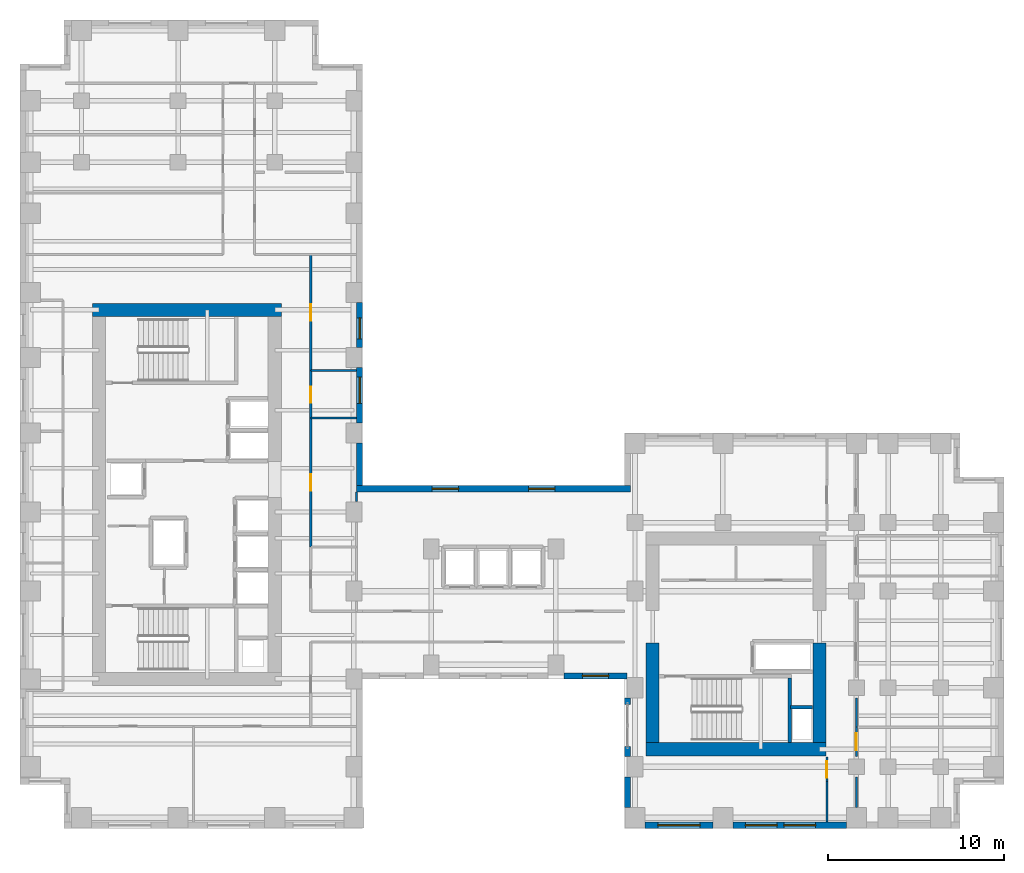
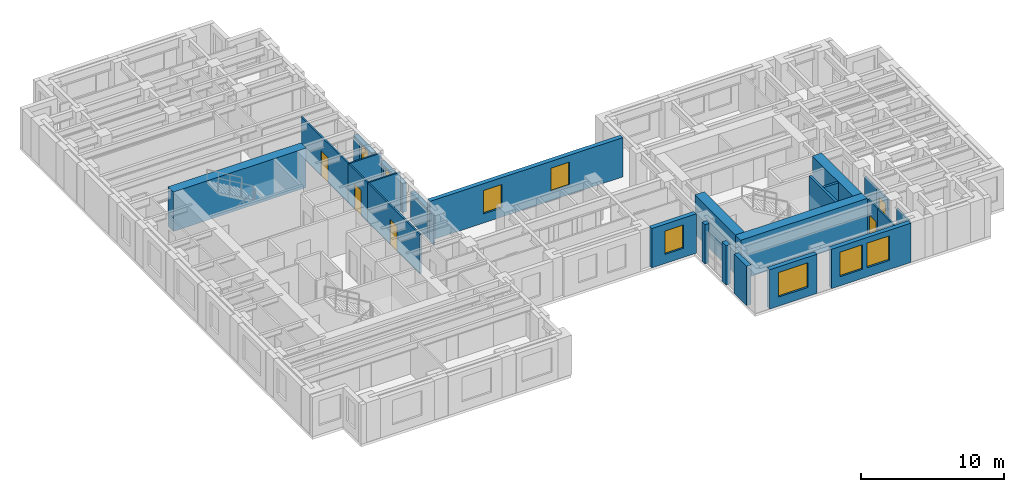
# One storey, part 7 of 12: 27 walls, 8 windows, 5 doors, 13 openings.
"""IFC4 building model written with IfcOpenShell, lengths in metres."""

from ifc_helpers import new_model, si_unit, direction, frame, frame_2d, origin, place, context, subcontext, project, spatial, rectangle, extrude, source, transform, mapped, material, layer, layer_set, type_object, element, fill, save


model = new_model("IFC4")

# Units and contexts
model_context = context("Model", 3, precision=1e-05, world=origin(), true_north=direction((0.0, 1.0)))
body_context = subcontext(model_context, "Body", "Model", "MODEL_VIEW")
ifc_project = project(units=[si_unit("LENGTHUNIT", "METRE"), si_unit("AREAUNIT", "SQUARE_METRE"), si_unit("VOLUMEUNIT", "CUBIC_METRE"), si_unit("PLANEANGLEUNIT", "RADIAN"), si_unit("MASSUNIT", "GRAM", prefix="KILO")], contexts=[model_context])

# Site, building, storey
site_placement = place(None, origin())
site = spatial("IfcSite", under=ifc_project, at=site_placement, CompositionType="ELEMENT")
building_placement = place(site_placement, origin())
building = spatial("IfcBuilding", under=site, at=building_placement, Name="Kharzan Plaza Tower", CompositionType="ELEMENT")
storey_placement = place(building_placement, frame((0.0, 0.0, 117.0)))
storey = spatial("IfcBuildingStorey", under=building, at=storey_placement, Name="L31", CompositionType="ELEMENT", Elevation=117.0)

# Wall, opening, window
ifc_material_1 = material(Name="Concrete C40/50", Category="concrete")
ifc_layer_1 = layer(ifc_material_1, 0.35009765625)
ifc_layer_set_1 = layer_set([ifc_layer_1], Name="Concrete C40/50")
wall_type_1 = type_object("IfcWallType", Name="WL-EXT-MAS-Z2", PredefinedType="SOLIDWALL", material=ifc_layer_set_1)
wall_1_placement = place(storey_placement, frame((19.324951171875, 23.072998046875, 0.0), z_axis=(0.0, 0.0, 1.0), x_axis=(0.0, 1.0, 0.0)))
wall_1 = element("IfcWall", 1, at=wall_1_placement, inside=storey, type_object=wall_type_1, Name="L31 Masonry-Frame Exterior Wall 02", PredefinedType="SOLIDWALL", context=body_context, shape_type="SweptSolid", body=[
    extrude(rectangle(XDim=3.154052734375, YDim=0.35009765625, at=frame_2d((1.5771484375, 0.0))), origin(), (0.0, 0.0, 1.0), 2.51904296875),
])
opening_1_placement = place(wall_1_placement, frame((1.10546875, 0.0, 0.780029296875)))
opening_1 = element("IfcOpeningElement", 2, at=opening_1_placement, cuts=wall_1, Name="Opening W5", PredefinedType="OPENING", context=body_context, shape_type="SweptSolid", body=[
    extrude(rectangle(XDim=1.5, YDim=1.55908203125, at=frame_2d((0.75, 0.779541015625))), frame((0.0, 0.18505859375, 0.0), z_axis=(0.0, -1.0, 0.0), x_axis=(1.0, 0.0, 0.0)), (0.0, 0.0, 1.0), 0.3701171875),
])
ifc_material_2 = material(Name="Low-E Double Glazing", Category="glass")
window_type_1 = type_object("IfcWindowType", Name="WN-SLT-1500x2000", PartitioningType="SINGLE_PANEL", PredefinedType="WINDOW", material=ifc_material_2)
shared_shape_1 = source(origin(), body_context, "Body", "SweptSolid", [
    extrude(rectangle(XDim=1.5, YDim=1.55908203125, at=frame_2d((0.75, 0.779541015625))), frame((0.0, 0.030029296875, 0.0), z_axis=(0.0, -1.0, 0.0), x_axis=(1.0, 0.0, 0.0)), (0.0, 0.0, 1.0), 0.06005859375),
])
window_1_placement = place(opening_1_placement, origin())
window_1 = element("IfcWindow", 3, at=window_1_placement, inside=storey, type_object=window_type_1, Name="L31 Recessed Solar-Control Window 02-1", OverallHeight=1.55908203125, OverallWidth=1.5, PartitioningType="SINGLE_PANEL", PredefinedType="WINDOW", context=body_context, shape_type="MappedRepresentation", body=[
    mapped(shared_shape_1, transform((0.0, 0.0, 0.0), x_axis=(1.0, 0.0, 0.0), y_axis=(0.0, 1.0, 0.0), z_axis=(0.0, 0.0, 1.0))),
])
fill(opening_1, window_1)

wall_2_placement = place(storey_placement, frame((19.324951171875, 27.373046875, 0.0), z_axis=(0.0, 0.0, 1.0), x_axis=(0.0, 1.0, 0.0)))
wall_2 = element("IfcWall", 4, at=wall_2_placement, inside=storey, type_object=wall_type_1, Name="L31 Masonry-Frame Exterior Wall 03", PredefinedType="SOLIDWALL", context=body_context, shape_type="SweptSolid", body=[
    extrude(rectangle(XDim=2.553955078125, YDim=0.35009765625, at=frame_2d((1.27685546875, 0.0))), origin(), (0.0, 0.0, 1.0), 2.51904296875),
])
opening_2_placement = place(wall_2_placement, frame((0.47998046875, 0.0, 0.780029296875)))
opening_2 = element("IfcOpeningElement", 5, at=opening_2_placement, cuts=wall_2, Name="Opening W3", PredefinedType="OPENING", context=body_context, shape_type="SweptSolid", body=[
    extrude(rectangle(XDim=1.199951171875, YDim=1.55908203125, at=frame_2d((0.60009765625, 0.779541015625))), frame((0.0, 0.18505859375, 0.0), z_axis=(0.0, -1.0, 0.0), x_axis=(1.0, 0.0, 0.0)), (0.0, 0.0, 1.0), 0.3701171875),
])
window_type_2 = type_object("IfcWindowType", Name="WN-REC-1200x2100", PartitioningType="SINGLE_PANEL", PredefinedType="WINDOW", material=ifc_material_2)
shared_shape_2 = source(origin(), body_context, "Body", "SweptSolid", [
    extrude(rectangle(XDim=1.199951171875, YDim=1.55908203125, at=frame_2d((0.60009765625, 0.779541015625))), frame((0.0, 0.030029296875, 0.0), z_axis=(0.0, -1.0, 0.0), x_axis=(1.0, 0.0, 0.0)), (0.0, 0.0, 1.0), 0.06005859375),
])
window_2_placement = place(opening_2_placement, origin())
window_2 = element("IfcWindow", 6, at=window_2_placement, inside=storey, type_object=window_type_2, Name="L31 Recessed Solar-Control Window 03-1", OverallHeight=1.55908203125, OverallWidth=1.199951171875, PartitioningType="SINGLE_PANEL", PredefinedType="WINDOW", context=body_context, shape_type="MappedRepresentation", body=[
    mapped(shared_shape_2, transform((0.0, 0.0, 0.0), x_axis=(1.0, 0.0, 0.0), y_axis=(0.0, 1.0, 0.0), z_axis=(0.0, 0.0, 1.0))),
])
fill(opening_2, window_2)

wall_3_placement = place(storey_placement, frame((30.947998046875, 8.675048828125, 0.0), z_axis=(0.0, 0.0, 1.0), x_axis=(1.0, 0.0, 0.0)))
wall_3 = element("IfcWall", 7, at=wall_3_placement, inside=storey, type_object=wall_type_1, Name="L31 Masonry-Frame Exterior Wall 36", PredefinedType="SOLIDWALL", context=body_context, shape_type="SweptSolid", body=[
    extrude(rectangle(XDim=3.60400390625, YDim=0.35009765625, at=frame_2d((1.802001953125, 0.0))), origin(), (0.0, 0.0, 1.0), 3.364990234375),
])
opening_3_placement = place(wall_3_placement, frame((1.052001953125, 0.0, 0.780029296875)))
opening_3 = element("IfcOpeningElement", 8, at=opening_3_placement, cuts=wall_3, Name="Opening W5", PredefinedType="OPENING", context=body_context, shape_type="SweptSolid", body=[
    extrude(rectangle(XDim=1.5, YDim=2.0, at=frame_2d((0.75, 1.0))), frame((0.0, 0.18505859375, 0.0), z_axis=(0.0, -1.0, 0.0), x_axis=(1.0, 0.0, 0.0)), (0.0, 0.0, 1.0), 0.3701171875),
])
shared_shape_3 = source(origin(), body_context, "Body", "SweptSolid", [
    extrude(rectangle(XDim=1.5, YDim=2.0, at=frame_2d((0.75, 1.0))), frame((0.0, 0.030029296875, 0.0), z_axis=(0.0, -1.0, 0.0), x_axis=(1.0, 0.0, 0.0)), (0.0, 0.0, 1.0), 0.06005859375),
])
window_3_placement = place(opening_3_placement, origin())
window_3 = element("IfcWindow", 9, at=window_3_placement, inside=storey, type_object=window_type_1, Name="L31 Recessed Solar-Control Window 36-1", OverallHeight=2.0, OverallWidth=1.5, PartitioningType="SINGLE_PANEL", PredefinedType="WINDOW", context=body_context, shape_type="MappedRepresentation", body=[
    mapped(shared_shape_3, transform((0.0, 0.0, 0.0), x_axis=(1.0, 0.0, 0.0), y_axis=(0.0, 1.0, 0.0), z_axis=(0.0, 0.0, 1.0))),
])
fill(opening_3, window_3)

wall_4_placement = place(storey_placement, frame((35.572998046875, 0.175048828125, 0.0), z_axis=(0.0, 0.0, 1.0), x_axis=(1.0, 0.0, 0.0)))
wall_4 = element("IfcWall", 10, at=wall_4_placement, inside=storey, type_object=wall_type_1, Name="L31 Masonry-Frame Exterior Wall 40", PredefinedType="SOLIDWALL", context=body_context, shape_type="SweptSolid", body=[
    extrude(rectangle(XDim=3.85400390625, YDim=0.35009765625, at=frame_2d((1.927001953125, 0.0))), origin(), (0.0, 0.0, 1.0), 3.364990234375),
])
opening_4_placement = place(wall_4_placement, frame((0.72705078125, 0.0, 0.780029296875)))
opening_4 = element("IfcOpeningElement", 11, at=opening_4_placement, cuts=wall_4, Name="Opening W2", PredefinedType="OPENING", context=body_context, shape_type="SweptSolid", body=[
    extrude(rectangle(XDim=2.39990234375, YDim=2.10009765625, at=frame_2d((1.199951171875, 1.050048828125))), frame((0.0, 0.18505859375, 0.0), z_axis=(0.0, -1.0, 0.0), x_axis=(1.0, 0.0, 0.0)), (0.0, 0.0, 1.0), 0.3701171875),
])
window_type_3 = type_object("IfcWindowType", Name="WN-REC-2400x2100", PartitioningType="SINGLE_PANEL", PredefinedType="WINDOW", material=ifc_material_2)
shared_shape_4 = source(origin(), body_context, "Body", "SweptSolid", [
    extrude(rectangle(XDim=2.39990234375, YDim=2.10009765625, at=frame_2d((1.199951171875, 1.050048828125))), frame((0.0, 0.030029296875, 0.0), z_axis=(0.0, -1.0, 0.0), x_axis=(1.0, 0.0, 0.0)), (0.0, 0.0, 1.0), 0.06005859375),
])
window_4_placement = place(opening_4_placement, origin())
window_4 = element("IfcWindow", 12, at=window_4_placement, inside=storey, type_object=window_type_3, Name="L31 Wide Recessed Solar-Control Window 40-1", OverallHeight=2.10009765625, OverallWidth=2.39990234375, PartitioningType="SINGLE_PANEL", PredefinedType="WINDOW", context=body_context, shape_type="MappedRepresentation", body=[
    mapped(shared_shape_4, transform((0.0, 0.0, 0.0), x_axis=(1.0, 0.0, 0.0), y_axis=(0.0, 1.0, 0.0), z_axis=(0.0, 0.0, 1.0))),
])
fill(opening_4, window_4)

# Wall, openings, windows
wall_5_placement = place(storey_placement, frame((40.572998046875, 0.175048828125, 0.0), z_axis=(0.0, 0.0, 1.0), x_axis=(1.0, 0.0, 0.0)))
wall_5 = element("IfcWall", 13, at=wall_5_placement, inside=storey, type_object=wall_type_1, Name="L31 Masonry-Frame Exterior Wall 41", PredefinedType="SOLIDWALL", context=body_context, shape_type="SweptSolid", body=[
    extrude(rectangle(XDim=6.4541015625, YDim=0.35009765625, at=frame_2d((3.22705078125, 0.0))), origin(), (0.0, 0.0, 1.0), 3.364990234375),
])
opening_5_placement = place(wall_5_placement, frame((0.71240234375, 0.0, 0.780029296875)))
opening_5 = element("IfcOpeningElement", 14, at=opening_5_placement, cuts=wall_5, Name="Opening W1", PredefinedType="OPENING", context=body_context, shape_type="SweptSolid", body=[
    extrude(rectangle(XDim=1.800048828125, YDim=2.10009765625, at=frame_2d((0.89990234375, 1.050048828125))), frame((0.0, 0.18505859375, 0.0), z_axis=(0.0, -1.0, 0.0), x_axis=(1.0, 0.0, 0.0)), (0.0, 0.0, 1.0), 0.3701171875),
])
opening_6_placement = place(wall_5_placement, frame((2.90478515625, 0.0, 0.780029296875)))
opening_6 = element("IfcOpeningElement", 15, at=opening_6_placement, cuts=wall_5, Name="Opening W1", PredefinedType="OPENING", context=body_context, shape_type="SweptSolid", body=[
    extrude(rectangle(XDim=1.800048828125, YDim=2.10009765625, at=frame_2d((0.89990234375, 1.050048828125))), frame((0.0, 0.18505859375, 0.0), z_axis=(0.0, -1.0, 0.0), x_axis=(1.0, 0.0, 0.0)), (0.0, 0.0, 1.0), 0.3701171875),
])
window_type_4 = type_object("IfcWindowType", Name="WN-REC-1800x2100", PartitioningType="SINGLE_PANEL", PredefinedType="WINDOW", material=ifc_material_2)
shared_shape_5 = source(origin(), body_context, "Body", "SweptSolid", [
    extrude(rectangle(XDim=1.800048828125, YDim=2.10009765625, at=frame_2d((0.89990234375, 1.050048828125))), frame((0.0, 0.030029296875, 0.0), z_axis=(0.0, -1.0, 0.0), x_axis=(1.0, 0.0, 0.0)), (0.0, 0.0, 1.0), 0.06005859375),
])
window_5_placement = place(opening_5_placement, origin())
window_5 = element("IfcWindow", 16, at=window_5_placement, inside=storey, type_object=window_type_4, Name="L31 Recessed Solar-Control Window 41-1", OverallHeight=2.10009765625, OverallWidth=1.800048828125, PartitioningType="SINGLE_PANEL", PredefinedType="WINDOW", context=body_context, shape_type="MappedRepresentation", body=[
    mapped(shared_shape_5, transform((0.0, 0.0, 0.0), x_axis=(1.0, 0.0, 0.0), y_axis=(0.0, 1.0, 0.0), z_axis=(0.0, 0.0, 1.0))),
])
fill(opening_5, window_5)
window_6_placement = place(opening_6_placement, origin())
window_6 = element("IfcWindow", 17, at=window_6_placement, inside=storey, type_object=window_type_4, Name="L31 Recessed Solar-Control Window 41-2", OverallHeight=2.10009765625, OverallWidth=1.800048828125, PartitioningType="SINGLE_PANEL", PredefinedType="WINDOW", context=body_context, shape_type="MappedRepresentation", body=[
    mapped(shared_shape_5, transform((0.0, 0.0, 0.0), x_axis=(1.0, 0.0, 0.0), y_axis=(0.0, 1.0, 0.0), z_axis=(0.0, 0.0, 1.0))),
])
fill(opening_6, window_6)

wall_6_placement = place(storey_placement, frame((34.75, 19.324951171875, 0.0), z_axis=(0.0, 0.0, 1.0), x_axis=(-1.0, 0.0, 0.0)))
wall_6 = element("IfcWall", 18, at=wall_6_placement, inside=storey, type_object=wall_type_1, Name="L31 Masonry-Frame Exterior Wall 59", PredefinedType="SOLIDWALL", context=body_context, shape_type="SweptSolid", body=[
    extrude(rectangle(XDim=15.60009765625, YDim=0.35009765625, at=frame_2d((7.800048828125, 0.0))), origin(), (0.0, 0.0, 1.0), 3.364990234375),
])
opening_7_placement = place(wall_6_placement, frame((4.306640625, 0.0, 0.780029296875)))
opening_7 = element("IfcOpeningElement", 19, at=opening_7_placement, cuts=wall_6, Name="Opening W5", PredefinedType="OPENING", context=body_context, shape_type="SweptSolid", body=[
    extrude(rectangle(XDim=1.5, YDim=2.0, at=frame_2d((0.75, 1.0))), frame((0.0, 0.18505859375, 0.0), z_axis=(0.0, -1.0, 0.0), x_axis=(1.0, 0.0, 0.0)), (0.0, 0.0, 1.0), 0.3701171875),
])
opening_8_placement = place(wall_6_placement, frame((9.793212890625, 0.0, 0.780029296875)))
opening_8 = element("IfcOpeningElement", 20, at=opening_8_placement, cuts=wall_6, Name="Opening W5", PredefinedType="OPENING", context=body_context, shape_type="SweptSolid", body=[
    extrude(rectangle(XDim=1.5, YDim=2.0, at=frame_2d((0.75, 1.0))), frame((0.0, 0.18505859375, 0.0), z_axis=(0.0, -1.0, 0.0), x_axis=(1.0, 0.0, 0.0)), (0.0, 0.0, 1.0), 0.3701171875),
])
window_7_placement = place(opening_7_placement, origin())
window_7 = element("IfcWindow", 21, at=window_7_placement, inside=storey, type_object=window_type_1, Name="L31 Recessed Solar-Control Window 59-1", OverallHeight=2.0, OverallWidth=1.5, PartitioningType="SINGLE_PANEL", PredefinedType="WINDOW", context=body_context, shape_type="MappedRepresentation", body=[
    mapped(shared_shape_3, transform((0.0, 0.0, 0.0), x_axis=(1.0, 0.0, 0.0), y_axis=(0.0, 1.0, 0.0), z_axis=(0.0, 0.0, 1.0))),
])
fill(opening_7, window_7)
window_8_placement = place(opening_8_placement, origin())
window_8 = element("IfcWindow", 22, at=window_8_placement, inside=storey, type_object=window_type_1, Name="L31 Recessed Solar-Control Window 59-2", OverallHeight=2.0, OverallWidth=1.5, PartitioningType="SINGLE_PANEL", PredefinedType="WINDOW", context=body_context, shape_type="MappedRepresentation", body=[
    mapped(shared_shape_3, transform((0.0, 0.0, 0.0), x_axis=(1.0, 0.0, 0.0), y_axis=(0.0, 1.0, 0.0), z_axis=(0.0, 0.0, 1.0))),
])
fill(opening_8, window_8)

# Wall, opening, door
ifc_material_3 = material(Name="Fire-Rated Gypsum Board Partition", Category="gypsum")
ifc_layer_2 = layer(ifc_material_3, 0.125)
ifc_layer_set_2 = layer_set([ifc_layer_2], Name="Fire-Rated Gypsum Board Partition")
wall_type_2 = type_object("IfcWallType", Name="WL-INT-PART-125", PredefinedType="PARTITIONING", material=ifc_layer_set_2)
wall_7_placement = place(storey_placement, frame((16.550048828125, 16.0, 0.0), z_axis=(0.0, 0.0, 1.0), x_axis=(0.0, 1.0, 0.0)))
wall_7 = element("IfcWall", 23, at=wall_7_placement, inside=storey, type_object=wall_type_2, Name="L31 Interior Partition SH-AEWN2", PredefinedType="PARTITIONING", context=body_context, shape_type="SweptSolid", body=[
    extrude(rectangle(XDim=7.35009765625, YDim=0.125, at=frame_2d((3.675048828125, 0.0))), origin(), (0.0, 0.0, 1.0), 3.364990234375),
])
opening_9_placement = place(wall_7_placement, frame((3.199951171875, 0.0, 0.0)))
opening_9 = element("IfcOpeningElement", 24, at=opening_9_placement, cuts=wall_7, Name="Opening OD1", PredefinedType="OPENING", context=body_context, shape_type="SweptSolid", body=[
    extrude(rectangle(XDim=0.949951171875, YDim=2.14990234375, at=frame_2d((0.47509765625, 1.074951171875))), frame((0.0, 0.072509765625, 0.0), z_axis=(0.0, -1.0, 0.0), x_axis=(1.0, 0.0, 0.0)), (0.0, 0.0, 1.0), 0.14501953125),
])
ifc_material_4 = material(Name="Acoustic Solid-Core Stained Oak", Category="timber")
door_type_1 = type_object("IfcDoorType", Name="DR-OFF-SINGLE", OperationType="NOTDEFINED", PredefinedType="DOOR", material=ifc_material_4)
shared_shape_6 = source(origin(), body_context, "Body", "SweptSolid", [
    extrude(rectangle(XDim=0.949951171875, YDim=2.14990234375, at=frame_2d((0.47509765625, 1.074951171875))), frame((0.0, 0.02490234375, 0.0), z_axis=(0.0, -1.0, 0.0), x_axis=(1.0, 0.0, 0.0)), (0.0, 0.0, 1.0), 0.050048828125),
])
door_1_placement = place(opening_9_placement, origin())
door_1 = element("IfcDoor", 25, at=door_1_placement, inside=storey, type_object=door_type_1, Name="L31 Slot Studio Door", OperationType="SINGLE_SWING_LEFT", OverallHeight=2.14990234375, OverallWidth=0.949951171875, PredefinedType="DOOR", context=body_context, shape_type="MappedRepresentation", body=[
    mapped(shared_shape_6, transform((0.0, 0.0, 0.0), x_axis=(1.0, 0.0, 0.0), y_axis=(0.0, 1.0, 0.0), z_axis=(0.0, 0.0, 1.0))),
])
fill(opening_9, door_1)

wall_8_placement = place(storey_placement, frame((16.550048828125, 26.050048828125, 0.0), z_axis=(0.0, 0.0, 1.0), x_axis=(0.0, 1.0, 0.0)))
wall_8 = element("IfcWall", 26, at=wall_8_placement, inside=storey, type_object=wall_type_2, Name="L31 Interior Partition SH-AEWN3", PredefinedType="PARTITIONING", context=body_context, shape_type="SweptSolid", body=[
    extrude(rectangle(XDim=6.599853515625, YDim=0.125, at=frame_2d((3.2998046875, 0.0))), origin(), (0.0, 0.0, 1.0), 3.364990234375),
])
opening_10_placement = place(wall_8_placement, frame((2.824951171875, 0.0, 0.0)))
opening_10 = element("IfcOpeningElement", 27, at=opening_10_placement, cuts=wall_8, Name="Opening OD1", PredefinedType="OPENING", context=body_context, shape_type="SweptSolid", body=[
    extrude(rectangle(XDim=0.949951171875, YDim=2.14990234375, at=frame_2d((0.47509765625, 1.074951171875))), frame((0.0, 0.072509765625, 0.0), z_axis=(0.0, -1.0, 0.0), x_axis=(1.0, 0.0, 0.0)), (0.0, 0.0, 1.0), 0.14501953125),
])
door_2_placement = place(opening_10_placement, origin())
door_2 = element("IfcDoor", 28, at=door_2_placement, inside=storey, type_object=door_type_1, Name="L31 Staff Tea Point Door", OperationType="SINGLE_SWING_LEFT", OverallHeight=2.14990234375, OverallWidth=0.949951171875, PredefinedType="DOOR", context=body_context, shape_type="MappedRepresentation", body=[
    mapped(shared_shape_6, transform((0.0, 0.0, 0.0), x_axis=(1.0, 0.0, 0.0), y_axis=(0.0, 1.0, 0.0), z_axis=(0.0, 0.0, 1.0))),
])
fill(opening_10, door_2)

wall_9_placement = place(storey_placement, frame((16.550048828125, 23.35009765625, 0.0), z_axis=(0.0, 0.0, 1.0), x_axis=(0.0, 1.0, 0.0)))
wall_9 = element("IfcWall", 29, at=wall_9_placement, inside=storey, type_object=wall_type_2, Name="L31 Interior Partition SH-AEWW", PredefinedType="PARTITIONING", context=body_context, shape_type="SweptSolid", body=[
    extrude(rectangle(XDim=2.699951171875, YDim=0.125, at=frame_2d((1.35009765625, 0.0))), origin(), (0.0, 0.0, 1.0), 3.364990234375),
])
opening_11_placement = place(wall_9_placement, frame((0.875, 0.0, 0.0)))
opening_11 = element("IfcOpeningElement", 30, at=opening_11_placement, cuts=wall_9, Name="Opening WD1", PredefinedType="OPENING", context=body_context, shape_type="SweptSolid", body=[
    extrude(rectangle(XDim=0.89990234375, YDim=2.14990234375, at=frame_2d((0.449951171875, 1.074951171875))), frame((0.0, 0.072509765625, 0.0), z_axis=(0.0, -1.0, 0.0), x_axis=(1.0, 0.0, 0.0)), (0.0, 0.0, 1.0), 0.14501953125),
])
ifc_material_5 = material(Name="Moisture-Resistant Fire-Rated Laminate", Category="timber")
door_type_2 = type_object("IfcDoorType", Name="DR-WC-900", OperationType="NOTDEFINED", PredefinedType="DOOR", material=ifc_material_5)
shared_shape_7 = source(origin(), body_context, "Body", "SweptSolid", [
    extrude(rectangle(XDim=0.89990234375, YDim=2.14990234375, at=frame_2d((0.449951171875, 1.074951171875))), frame((0.0, 0.02490234375, 0.0), z_axis=(0.0, -1.0, 0.0), x_axis=(1.0, 0.0, 0.0)), (0.0, 0.0, 1.0), 0.050048828125),
])
door_3_placement = place(opening_11_placement, origin())
door_3 = element("IfcDoor", 31, at=door_3_placement, inside=storey, type_object=door_type_2, Name="L31 Wing A Washroom Door", OperationType="SINGLE_SWING_RIGHT", OverallHeight=2.14990234375, OverallWidth=0.89990234375, PredefinedType="DOOR", context=body_context, shape_type="MappedRepresentation", body=[
    mapped(shared_shape_7, transform((0.0, 0.0, 0.0), x_axis=(1.0, 0.0, 0.0), y_axis=(0.0, 1.0, 0.0), z_axis=(0.0, 0.0, 1.0))),
])
fill(opening_11, door_3)

wall_10_placement = place(storey_placement, frame((47.60009765625, 4.090087890625, 0.0), z_axis=(0.0, 0.0, 1.0), x_axis=(0.0, 1.0, 0.0)))
wall_10 = element("IfcWall", 32, at=wall_10_placement, inside=storey, type_object=wall_type_2, Name="L31 Interior Partition SH-B3W0", PredefinedType="PARTITIONING", context=body_context, shape_type="SweptSolid", body=[
    extrude(rectangle(XDim=1.659912109375, YDim=0.125, at=frame_2d((0.830078125, 0.0))), origin(), (0.0, 0.0, 1.0), 2.677001953125),
])
opening_12_placement = place(wall_10_placement, frame((0.35498046875, 0.0, 0.0)))
opening_12 = element("IfcOpeningElement", 33, at=opening_12_placement, cuts=wall_10, Name="Opening OD1", PredefinedType="OPENING", context=body_context, shape_type="SweptSolid", body=[
    extrude(rectangle(XDim=0.949951171875, YDim=2.14990234375, at=frame_2d((0.47509765625, 1.074951171875))), frame((0.0, 0.072509765625, 0.0), z_axis=(0.0, -1.0, 0.0), x_axis=(1.0, 0.0, 0.0)), (0.0, 0.0, 1.0), 0.14501953125),
])
door_4_placement = place(opening_12_placement, origin())
door_4 = element("IfcDoor", 34, at=door_4_placement, inside=storey, type_object=door_type_1, Name="L31 Wing B Office 1 Door", OperationType="SINGLE_SWING_RIGHT", OverallHeight=2.14990234375, OverallWidth=0.949951171875, PredefinedType="DOOR", context=body_context, shape_type="MappedRepresentation", body=[
    mapped(shared_shape_6, transform((0.0, 0.0, 0.0), x_axis=(1.0, 0.0, 0.0), y_axis=(0.0, 1.0, 0.0), z_axis=(0.0, 0.0, 1.0))),
])
fill(opening_12, door_4)

wall_11_placement = place(storey_placement, frame((45.919921875, 2.64990234375, 0.0), z_axis=(0.0, 0.0, 1.0), x_axis=(0.0, 1.0, 0.0)))
wall_11 = element("IfcWall", 35, at=wall_11_placement, inside=storey, type_object=wall_type_2, Name="L31 Interior Partition SH-RBSE", PredefinedType="PARTITIONING", context=body_context, shape_type="SweptSolid", body=[
    extrude(rectangle(XDim=1.400146484375, YDim=0.125, at=frame_2d((0.7001953125, 0.0))), origin(), (0.0, 0.0, 1.0), 3.364990234375),
])
opening_13_placement = place(wall_11_placement, frame((0.22509765625, 0.0, 0.0)))
opening_13 = element("IfcOpeningElement", 36, at=opening_13_placement, cuts=wall_11, Name="Opening OD1", PredefinedType="OPENING", context=body_context, shape_type="SweptSolid", body=[
    extrude(rectangle(XDim=0.949951171875, YDim=2.14990234375, at=frame_2d((0.47509765625, 1.074951171875))), frame((0.0, 0.072509765625, 0.0), z_axis=(0.0, -1.0, 0.0), x_axis=(1.0, 0.0, 0.0)), (0.0, 0.0, 1.0), 0.14501953125),
])
door_5_placement = place(opening_13_placement, origin())
door_5 = element("IfcDoor", 37, at=door_5_placement, inside=storey, type_object=door_type_1, Name="L31 South-East Corner Office Door", OperationType="SINGLE_SWING_LEFT", OverallHeight=2.14990234375, OverallWidth=0.949951171875, PredefinedType="DOOR", context=body_context, shape_type="MappedRepresentation", body=[
    mapped(shared_shape_6, transform((0.0, 0.0, 0.0), x_axis=(1.0, 0.0, 0.0), y_axis=(0.0, 1.0, 0.0), z_axis=(0.0, 0.0, 1.0))),
])
fill(opening_13, door_5)

# Walls
shared_shape_8 = source(origin(), body_context, "Body", "SweptSolid", [
    extrude(rectangle(XDim=2.597900390625, YDim=0.125, at=frame_2d((1.298828125, 0.0))), origin(), (0.0, 0.0, 1.0), 3.364990234375),
])
for number, where, z_axis, x_axis, name in (
    (38, (16.550048828125, 23.35009765625, 0.0), (0.0, 0.0, 1.0), (1.0, 0.0, 0.0), "L31 Interior Partition SH-AEH-233"),
    (39, (16.550048828125, 26.050048828125, 0.0), (0.0, 0.0, 1.0), (1.0, 0.0, 0.0), "L31 Interior Partition SH-AEH-260"),
):
    element("IfcWall", number, at=place(storey_placement, frame(where, z_axis=z_axis, x_axis=x_axis)), inside=storey, type_object=wall_type_2, Name=name, PredefinedType="PARTITIONING", context=body_context, shape_type="MappedRepresentation", body=[
        mapped(shared_shape_8, transform((0.0, 0.0, 0.0), x_axis=(1.0, 0.0, 0.0), y_axis=(0.0, 1.0, 0.0), z_axis=(0.0, 0.0, 1.0))),
    ])
shared_shape_9 = source(origin(), body_context, "Body", "SweptSolid", [
    extrude(rectangle(XDim=2.2978515625, YDim=0.125, at=frame_2d((1.14892578125, 0.0))), origin(), (0.0, 0.0, 1.0), 3.364990234375),
])
wall_12_placement = place(storey_placement, frame((45.919921875, 0.35205078125, 0.0), z_axis=(0.0, 0.0, 1.0), x_axis=(0.0, 1.0, 0.0)))
element("IfcWall", 40, at=wall_12_placement, inside=storey, type_object=wall_type_2, Name="L31 Interior Partition SH-RBSE0", PredefinedType="PARTITIONING", context=body_context, shape_type="MappedRepresentation", body=[
    mapped(shared_shape_9, transform((0.0, 0.0, 0.0), x_axis=(1.0, 0.0, 0.0), y_axis=(0.0, 1.0, 0.0), z_axis=(0.0, 0.0, 1.0))),
])
shared_shape_10 = source(origin(), body_context, "Body", "SweptSolid", [
    extrude(rectangle(XDim=1.75390625, YDim=0.35009765625, at=frame_2d((0.876953125, 0.0))), origin(), (0.0, 0.0, 1.0), 3.364990234375),
])
wall_13_placement = place(storey_placement, frame((34.574951171875, 2.927001953125, 0.0), z_axis=(0.0, 0.0, 1.0), x_axis=(0.0, -1.0, 0.0)))
element("IfcWall", 41, at=wall_13_placement, inside=storey, type_object=wall_type_1, Name="L31 Masonry-Frame Exterior Wall 39", PredefinedType="SOLIDWALL", context=body_context, shape_type="MappedRepresentation", body=[
    mapped(shared_shape_10, transform((0.0, 0.0, 0.0), x_axis=(1.0, 0.0, 0.0), y_axis=(0.0, 1.0, 0.0), z_axis=(0.0, 0.0, 1.0))),
])
shared_shape_11 = source(origin(), body_context, "Body", "SweptSolid", [
    extrude(rectangle(XDim=0.376953125, YDim=0.35009765625, at=frame_2d((0.1884765625, 0.0))), origin(), (0.0, 0.0, 1.0), 3.364990234375),
])
wall_14_placement = place(storey_placement, frame((34.574951171875, 7.427001953125, 0.0), z_axis=(0.0, 0.0, 1.0), x_axis=(0.0, -1.0, 0.0)))
element("IfcWall", 42, at=wall_14_placement, inside=storey, type_object=wall_type_1, Name="L31 Masonry-Frame Exterior Wall 37", PredefinedType="SOLIDWALL", context=body_context, shape_type="MappedRepresentation", body=[
    mapped(shared_shape_11, transform((0.0, 0.0, 0.0), x_axis=(1.0, 0.0, 0.0), y_axis=(0.0, 1.0, 0.0), z_axis=(0.0, 0.0, 1.0))),
])
shared_shape_12 = source(origin(), body_context, "Body", "SweptSolid", [
    extrude(rectangle(XDim=1.719970703125, YDim=0.125, at=frame_2d((0.85986328125, 0.0))), origin(), (0.0, 0.0, 1.0), 2.677001953125),
])
wall_15_placement = place(storey_placement, frame((47.60009765625, 1.18994140625, 0.0), z_axis=(0.0, 0.0, 1.0), x_axis=(0.0, 1.0, 0.0)))
element("IfcWall", 43, at=wall_15_placement, inside=storey, type_object=wall_type_2, Name="L31 Interior Partition SH-B3W0S", PredefinedType="PARTITIONING", context=body_context, shape_type="MappedRepresentation", body=[
    mapped(shared_shape_12, transform((0.0, 0.0, 0.0), x_axis=(1.0, 0.0, 0.0), y_axis=(0.0, 1.0, 0.0), z_axis=(0.0, 0.0, 1.0))),
])
ifc_layer_3 = layer(ifc_material_1, 0.199951171875)
ifc_layer_set_3 = layer_set([ifc_layer_3], Name="Concrete C40/50")
wall_type_3 = type_object("IfcWallType", Name="WL-INT-SHAFT-200", PredefinedType="PARTITIONING", material=ifc_layer_set_3)
shared_shape_13 = source(origin(), body_context, "Body", "SweptSolid", [
    extrude(rectangle(XDim=1.244873046875, YDim=0.199951171875, at=frame_2d((0.62255859375, 0.0))), origin(), (0.0, 0.0, 1.0), 3.364990234375),
])
wall_16_placement = place(storey_placement, frame((43.85009765625, 6.89990234375, 0.0), z_axis=(0.0, 0.0, 1.0), x_axis=(1.0, 0.0, 0.0)))
element("IfcWall", 44, at=wall_16_placement, inside=storey, type_object=wall_type_3, Name="L31 Interior Partition CB-RSRB-N", PredefinedType="PARTITIONING", context=body_context, shape_type="MappedRepresentation", body=[
    mapped(shared_shape_13, transform((0.0, 0.0, 0.0), x_axis=(1.0, 0.0, 0.0), y_axis=(0.0, 1.0, 0.0), z_axis=(0.0, 0.0, 1.0))),
])
ifc_material_6 = material(Name="Concrete C60/75", Category="concrete")
ifc_layer_4 = layer(ifc_material_6, 0.75)
ifc_layer_set_4 = layer_set([ifc_layer_4], Name="Concrete C60/75")
wall_type_4 = type_object("IfcWallType", Name="WL-CORE-750", PredefinedType="SHEAR", material=ifc_layer_set_4)
shared_shape_14 = source(origin(), body_context, "Body", "SweptSolid", [
    extrude(rectangle(XDim=10.75, YDim=0.75, at=frame_2d((5.375, 0.0))), origin(), (0.0, 0.0, 1.0), 3.3798828125),
])
wall_17_placement = place(storey_placement, frame((4.125, 29.5, 0.0), z_axis=(0.0, 0.0, 1.0), x_axis=(1.0, 0.0, 0.0)))
element("IfcWall", 45, at=wall_17_placement, inside=storey, type_object=wall_type_4, Name="L31 CORE-A north RC shear wall", PredefinedType="SHEAR", context=body_context, shape_type="MappedRepresentation", body=[
    mapped(shared_shape_14, transform((0.0, 0.0, 0.0), x_axis=(1.0, 0.0, 0.0), y_axis=(0.0, 1.0, 0.0), z_axis=(0.0, 0.0, 1.0))),
])
shared_shape_15 = source(origin(), body_context, "Body", "SweptSolid", [
    extrude(rectangle(XDim=5.675048828125, YDim=0.75, at=frame_2d((2.83740234375, 0.0))), origin(), (0.0, 0.0, 1.0), 3.3798828125),
])
for number, where, z_axis, x_axis, name in (
    (46, (45.5, 4.875, 0.0), (0.0, 0.0, 1.0), (0.0, 1.0, 0.0), "L31 CORE-B east shear pier 1"),
    (47, (36.0, 4.875, 0.0), (0.0, 0.0, 1.0), (0.0, 1.0, 0.0), "L31 CORE-B west shear pier 1"),
):
    element("IfcWall", number, at=place(storey_placement, frame(where, z_axis=z_axis, x_axis=x_axis)), inside=storey, type_object=wall_type_4, Name=name, PredefinedType="SHEAR", context=body_context, shape_type="MappedRepresentation", body=[
        mapped(shared_shape_15, transform((0.0, 0.0, 0.0), x_axis=(1.0, 0.0, 0.0), y_axis=(0.0, 1.0, 0.0), z_axis=(0.0, 0.0, 1.0))),
    ])
shared_shape_16 = source(origin(), body_context, "Body", "SweptSolid", [
    extrude(rectangle(XDim=10.25, YDim=0.75, at=frame_2d((5.125, 0.0))), origin(), (0.0, 0.0, 1.0), 3.3798828125),
])
wall_18_placement = place(storey_placement, frame((35.625, 4.5, 0.0), z_axis=(0.0, 0.0, 1.0), x_axis=(1.0, 0.0, 0.0)))
element("IfcWall", 48, at=wall_18_placement, inside=storey, type_object=wall_type_4, Name="L31 CORE-B south RC shear wall", PredefinedType="SHEAR", context=body_context, shape_type="MappedRepresentation", body=[
    mapped(shared_shape_16, transform((0.0, 0.0, 0.0), x_axis=(1.0, 0.0, 0.0), y_axis=(0.0, 1.0, 0.0), z_axis=(0.0, 0.0, 1.0))),
])
ifc_material_7 = material(Name="Concrete C50/60", Category="concrete")
ifc_layer_5 = layer(ifc_material_7, 0.199951171875)
ifc_layer_set_5 = layer_set([ifc_layer_5], Name="Concrete C50/60")
wall_type_5 = type_object("IfcWallType", Name="WL-SHAFT-RC200", PredefinedType="SHEAR", material=ifc_layer_set_5)
shared_shape_17 = source(origin(), body_context, "Body", "SweptSolid", [
    extrude(rectangle(XDim=3.677978515625, YDim=0.199951171875, at=frame_2d((1.8388671875, 0.0))), origin(), (0.0, 0.0, 1.0), 3.3798828125),
])
wall_19_placement = place(storey_placement, frame((43.804931640625, 4.876953125, 0.0), z_axis=(0.0, 0.0, 1.0), x_axis=(0.0, 1.0, 0.0)))
element("IfcWall", 49, at=wall_19_placement, inside=storey, type_object=wall_type_5, Name="L31 Stair ST-3 East RC Shaft Wall", PredefinedType="SHEAR", context=body_context, shape_type="MappedRepresentation", body=[
    mapped(shared_shape_17, transform((0.0, 0.0, 0.0), x_axis=(1.0, 0.0, 0.0), y_axis=(0.0, 1.0, 0.0), z_axis=(0.0, 0.0, 1.0))),
])
shared_shape_18 = source(origin(), body_context, "Body", "SweptSolid", [
    extrude(rectangle(XDim=1.659912109375, YDim=0.125, at=frame_2d((0.830078125, 0.0))), origin(), (0.0, 0.0, 1.0), 2.677001953125),
])
wall_20_placement = place(storey_placement, frame((47.60009765625, 5.75, 0.0), z_axis=(0.0, 0.0, 1.0), x_axis=(0.0, 1.0, 0.0)))
element("IfcWall", 50, at=wall_20_placement, inside=storey, type_object=wall_type_2, Name="L31 Interior Partition SH-B3W1-S1", PredefinedType="PARTITIONING", context=body_context, shape_type="MappedRepresentation", body=[
    mapped(shared_shape_18, transform((0.0, 0.0, 0.0), x_axis=(1.0, 0.0, 0.0), y_axis=(0.0, 1.0, 0.0), z_axis=(0.0, 0.0, 1.0))),
])
shared_shape_19 = source(origin(), body_context, "Body", "SweptSolid", [
    extrude(rectangle(XDim=2.428955078125, YDim=0.35009765625, at=frame_2d((1.21435546875, 0.0))), origin(), (0.0, 0.0, 1.0), 2.51904296875),
])
wall_21_placement = place(storey_placement, frame((19.324951171875, 19.498046875, 0.0), z_axis=(0.0, 0.0, 1.0), x_axis=(0.0, 1.0, 0.0)))
element("IfcWall", 51, at=wall_21_placement, inside=storey, type_object=wall_type_1, Name="L31 Masonry-Frame Exterior Wall 01", PredefinedType="SOLIDWALL", context=body_context, shape_type="MappedRepresentation", body=[
    mapped(shared_shape_19, transform((0.0, 0.0, 0.0), x_axis=(1.0, 0.0, 0.0), y_axis=(0.0, 1.0, 0.0), z_axis=(0.0, 0.0, 1.0))),
])
shared_shape_20 = source(origin(), body_context, "Body", "SweptSolid", [
    extrude(rectangle(XDim=0.576904296875, YDim=0.35009765625, at=frame_2d((0.28857421875, 0.0))), origin(), (0.0, 0.0, 1.0), 3.364990234375),
])
wall_22_placement = place(storey_placement, frame((34.574951171875, 4.64990234375, 0.0), z_axis=(0.0, 0.0, 1.0), x_axis=(0.0, -1.0, 0.0)))
element("IfcWall", 52, at=wall_22_placement, inside=storey, type_object=wall_type_1, Name="L31 Masonry-Frame Exterior Wall 38", PredefinedType="SOLIDWALL", context=body_context, shape_type="MappedRepresentation", body=[
    mapped(shared_shape_20, transform((0.0, 0.0, 0.0), x_axis=(1.0, 0.0, 0.0), y_axis=(0.0, 1.0, 0.0), z_axis=(0.0, 0.0, 1.0))),
])
shared_shape_21 = source(origin(), body_context, "Body", "SweptSolid", [
    extrude(rectangle(XDim=0.557861328125, YDim=0.125, at=frame_2d((0.27880859375, 0.0))), origin(), (0.0, 0.0, 1.0), 2.51904296875),
])
wall_23_placement = place(storey_placement, frame((19.14990234375, 18.590087890625, 0.0), z_axis=(0.0, 0.0, 1.0), x_axis=(0.0, 1.0, 0.0)))
element("IfcWall", 53, at=wall_23_placement, inside=storey, type_object=wall_type_2, Name="L31 Interior Partition SH-AEN-DIV-S3", PredefinedType="PARTITIONING", context=body_context, shape_type="MappedRepresentation", body=[
    mapped(shared_shape_21, transform((0.0, 0.0, 0.0), x_axis=(1.0, 0.0, 0.0), y_axis=(0.0, 1.0, 0.0), z_axis=(0.0, 0.0, 1.0))),
])

save(model, "model.ifc")
